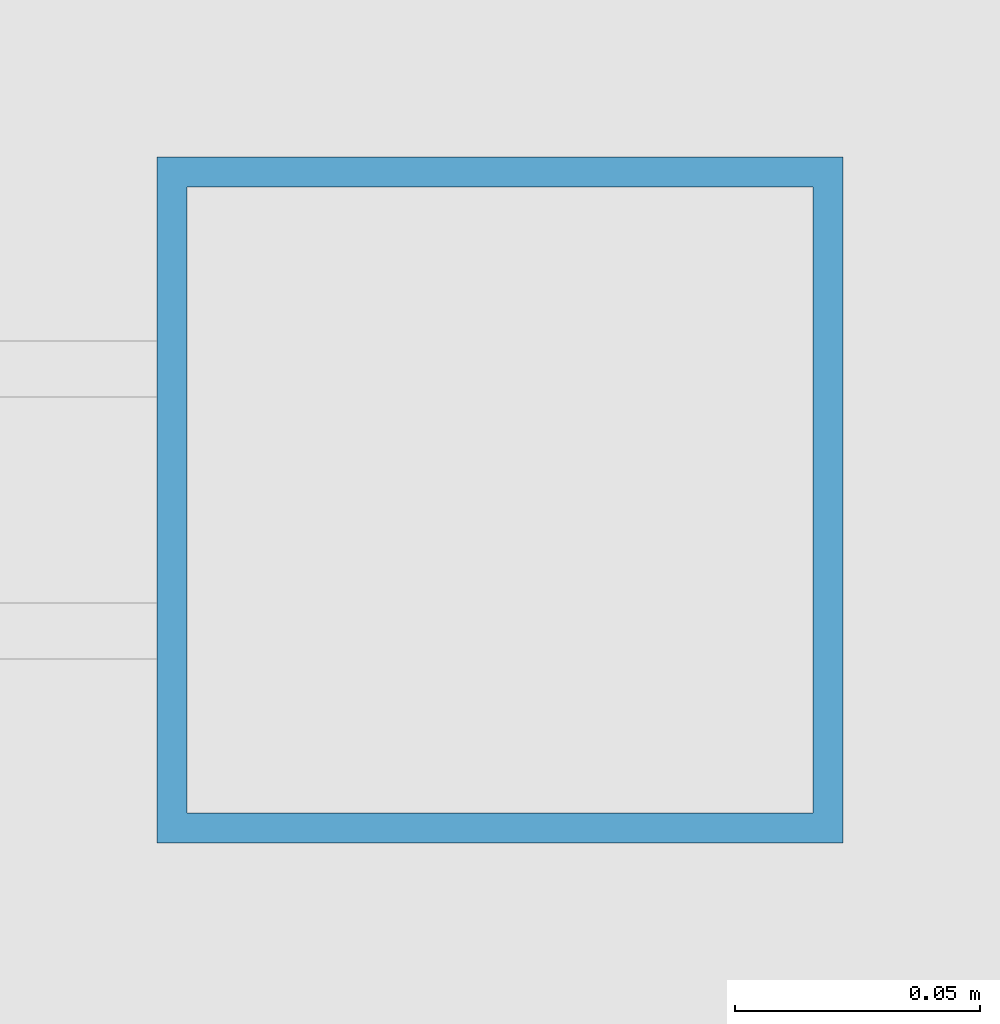
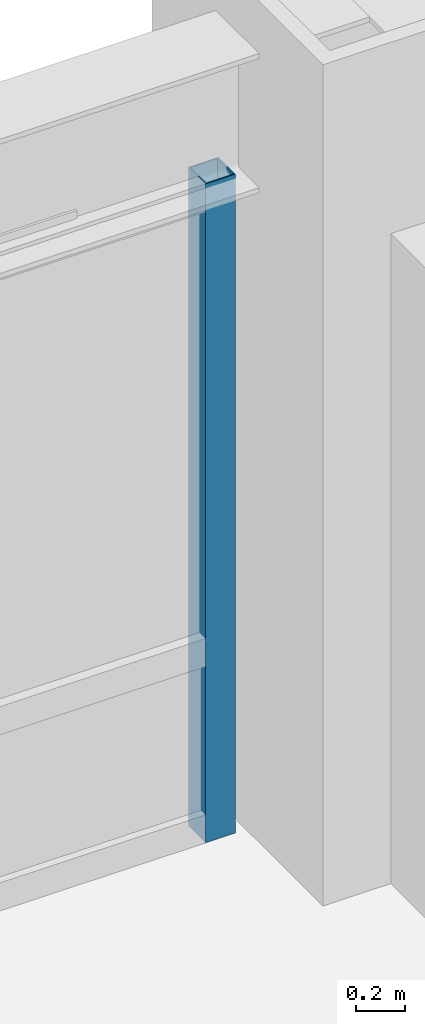
# One storey, part 21 of 32: 1 member, 1 element without a shape of its own.
"""IFC4 building model written with IfcOpenShell, lengths in metres."""

from ifc_helpers import new_model, si_unit, direction, frame, origin, origin_2d, place, context, subcontext, project, spatial, hollow_rectangle, extrude, source, transform, mapped, material, material_profile, profile_set, type_object, element, aggregate, save


model = new_model("IFC4")

# Units and contexts
model_context = context("Model", 3, precision=1e-05, world=origin(), true_north=direction((0.0, 1.0)))
body_context = subcontext(model_context, "Body", "Model", "MODEL_VIEW")
ifc_project = project(units=[si_unit("LENGTHUNIT", "METRE"), si_unit("AREAUNIT", "SQUARE_METRE"), si_unit("VOLUMEUNIT", "CUBIC_METRE"), si_unit("PLANEANGLEUNIT", "RADIAN"), si_unit("MASSUNIT", "GRAM", prefix="KILO")], contexts=[model_context])

# Site, building, storey
site_placement = place(None, origin())
site = spatial("IfcSite", under=ifc_project, at=site_placement, CompositionType="ELEMENT")
building_placement = place(site_placement, origin())
building = spatial("IfcBuilding", under=site, at=building_placement, Name="Khorayat Bourse Tower", CompositionType="ELEMENT")
storey_placement = place(building_placement, frame((0.0, 0.0, 70.39990234375)))
storey = spatial("IfcBuildingStorey", under=building, at=storey_placement, Name="L15", CompositionType="ELEMENT", Elevation=70.39990234375)

# Curtain wall, member
ifc_material = material(Name="Aluminium EN AW-6063 T6", Category="aluminium")
curtain_wall_type = type_object("IfcCurtainWallType", Name="CW-SYS-02", PredefinedType="NOTDEFINED", material=ifc_material)
curtain_wall_placement = place(storey_placement, origin())
curtain_wall = element("IfcCurtainWall", 1, at=curtain_wall_placement, inside=storey, type_object=curtain_wall_type, Name="L15 Curtain Wall CW-L15-N1", PredefinedType="NOTDEFINED")
ifc_material_profile = material_profile(ifc_material, hollow_rectangle(XDim=0.139892578125, YDim=0.139892578125, WallThickness=0.006103515625, at=origin_2d()), Name="ALU 140x140x6")
ifc_profile_set = profile_set([ifc_material_profile], Name="Aluminium EN AW-6063 T6")
member_type = type_object("IfcMemberType", Name="CWM-VERT-140", PredefinedType="MULLION", material=ifc_profile_set)
shared_shape = source(origin(), body_context, "Body", "SweptSolid", [
    extrude(hollow_rectangle(XDim=0.139892578125, YDim=0.139892578125, WallThickness=0.006103515625, at=origin_2d()), origin(), (0.0, 0.0, 1.0), 3.2900390625),
])
member_placement = place(storey_placement, frame((27.679931640625, 32.0, 0.0), z_axis=(0.0, 0.0, 1.0), x_axis=(0.0, 1.0, 0.0)))
member = element("IfcMember", 2, at=member_placement, type_object=member_type, Name="CW-L15-N1 Vertical Mullion 3", PredefinedType="MULLION", context=body_context, shape_type="MappedRepresentation", body=[
    mapped(shared_shape, transform((0.0, 0.0, 0.0), scale=1.0)),
])
aggregate(curtain_wall, [member])

save(model, "model.ifc")
